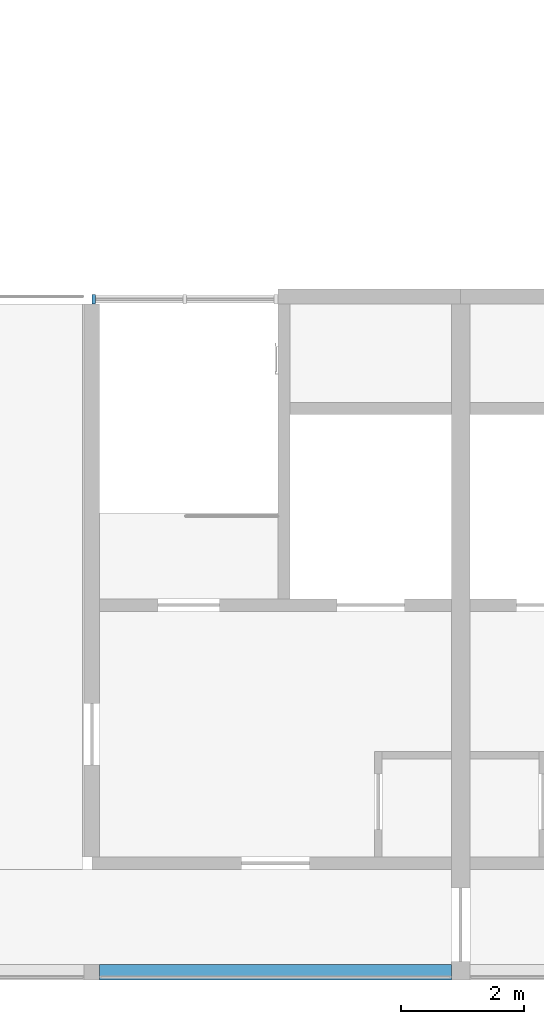
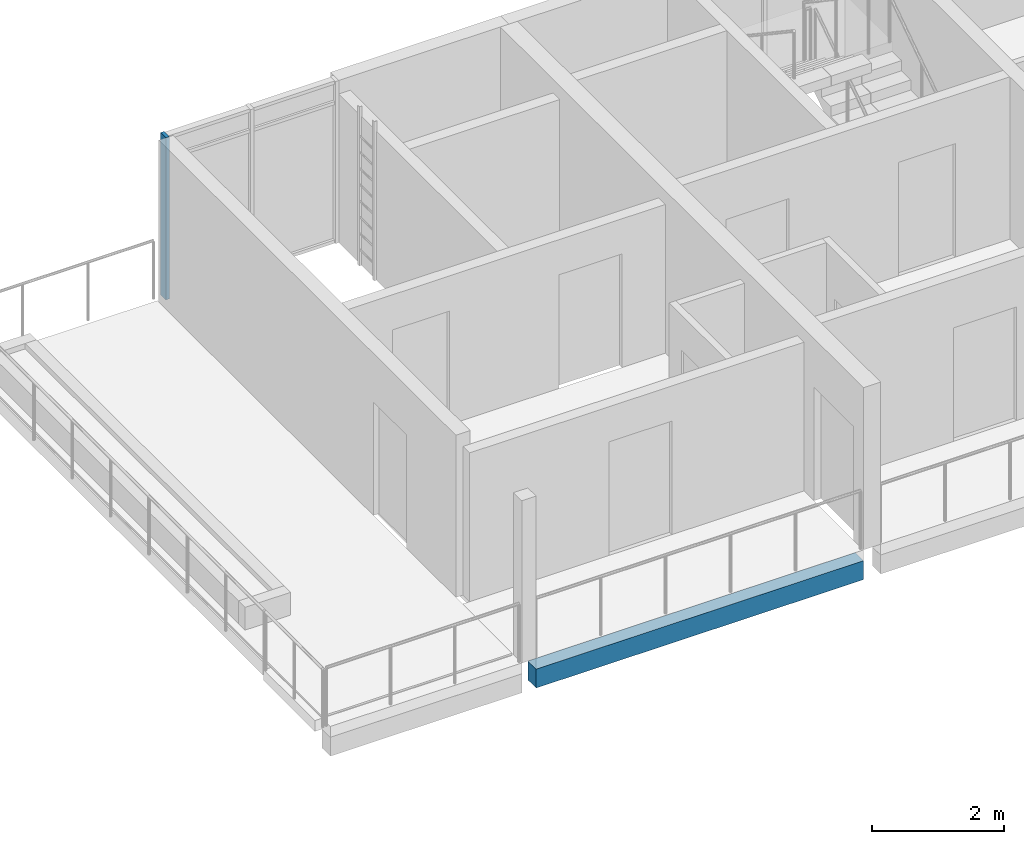
# One storey, part 5 of 55: 1 beam, 1 member, 1 element without a shape of its own.
"""IFC4 building model written with IfcOpenShell, lengths in metres."""

from ifc_helpers import new_model, si_unit, direction, frame, origin, origin_2d, place, context, subcontext, project, spatial, rectangle, extrude, material, material_profile, profile_set, type_object, element, aggregate, save


model = new_model("IFC4")

# Units and contexts
model_context = context("Model", 3, precision=1e-05, world=origin(), true_north=direction((0.0, 1.0)))
body_context = subcontext(model_context, "Body", "Model", "MODEL_VIEW")
ifc_project = project(units=[si_unit("LENGTHUNIT", "METRE"), si_unit("AREAUNIT", "SQUARE_METRE"), si_unit("VOLUMEUNIT", "CUBIC_METRE"), si_unit("PLANEANGLEUNIT", "RADIAN"), si_unit("MASSUNIT", "GRAM", prefix="KILO")], contexts=[model_context])

# Site, building, storey
site_placement = place(None, origin())
site = spatial("IfcSite", under=ifc_project, at=site_placement, CompositionType="ELEMENT")
building_placement = place(site_placement, origin())
building = spatial("IfcBuilding", under=site, at=building_placement, Name="Ridgestep Commons", CompositionType="ELEMENT")
storey_placement = place(building_placement, frame((0.0, 0.0, 36.0)))
storey = spatial("IfcBuildingStorey", under=building, at=storey_placement, Name="L12", CompositionType="ELEMENT", Elevation=36.0)

# Beam
ifc_material_1 = material(Name="Precast concrete C40/50", Category="concrete")
ifc_material_profile_1 = material_profile(ifc_material_1, rectangle(XDim=0.25, YDim=0.35009765625, at=origin_2d()), Name="PC 250x350")
ifc_profile_set_1 = profile_set([ifc_material_profile_1], Name="Precast concrete C40/50")
beam_type = type_object("IfcBeamType", Name="Loggia edge beam 250 x 350", PredefinedType="SPANDREL", material=ifc_profile_set_1)
beam_placement = place(storey_placement, frame((39.72509765625, 11.875, -0.375), z_axis=(1.0, 0.0, 0.0), x_axis=(0.0, 1.0, 0.0)))
element("IfcBeam", 1, at=beam_placement, inside=storey, type_object=beam_type, Name="Loggia edge beam A2C L12", PredefinedType="SPANDREL", context=body_context, shape_type="SweptSolid", body=[
    extrude(rectangle(XDim=0.25, YDim=0.35009765625, at=origin_2d()), origin(), (0.0, 0.0, 1.0), 5.724853515625),
])

# Curtain wall, member
ifc_material_2 = material(Name="Aluminium 6063-T6 and glass", Category="aluminium")
curtain_wall_type = type_object("IfcCurtainWallType", Name="Curtain wall stair strip", PredefinedType="NOTDEFINED", material=ifc_material_2)
curtain_wall_placement = place(storey_placement, origin())
curtain_wall = element("IfcCurtainWall", 2, at=curtain_wall_placement, inside=storey, type_object=curtain_wall_type, Name="Curtain wall A2C level 12", PredefinedType="NOTDEFINED")
ifc_material_3 = material(Name="Aluminium 6063-T6", Category="aluminium")
ifc_material_profile_2 = material_profile(ifc_material_3, rectangle(XDim=0.159912109375, YDim=0.06005859375, at=origin_2d()), Name="Mullion 60 x 160")
ifc_profile_set_2 = profile_set([ifc_material_profile_2], Name="Aluminium 6063-T6")
member_type = type_object("IfcMemberType", Name="Mullion 60 x 160", PredefinedType="MULLION", material=ifc_profile_set_2)
member_placement = place(storey_placement, frame((39.6298828125, 22.830078125, 0.0), z_axis=(0.0, 0.0, 1.0), x_axis=(0.0, 1.0, 0.0)))
member = element("IfcMember", 3, at=member_placement, type_object=member_type, Name="CW1 mullion 1", PredefinedType="MULLION", context=body_context, shape_type="SweptSolid", body=[
    extrude(rectangle(XDim=0.159912109375, YDim=0.06005859375, at=origin_2d()), origin(), (0.0, 0.0, 1.0), 3.0),
])
aggregate(curtain_wall, [member])

save(model, "model.ifc")
